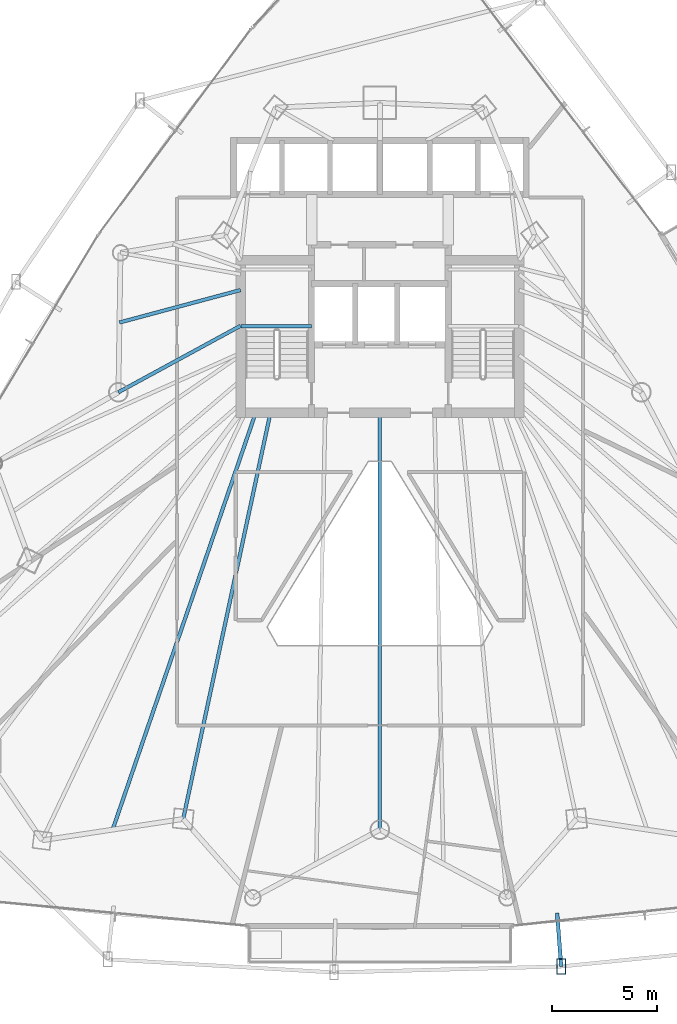
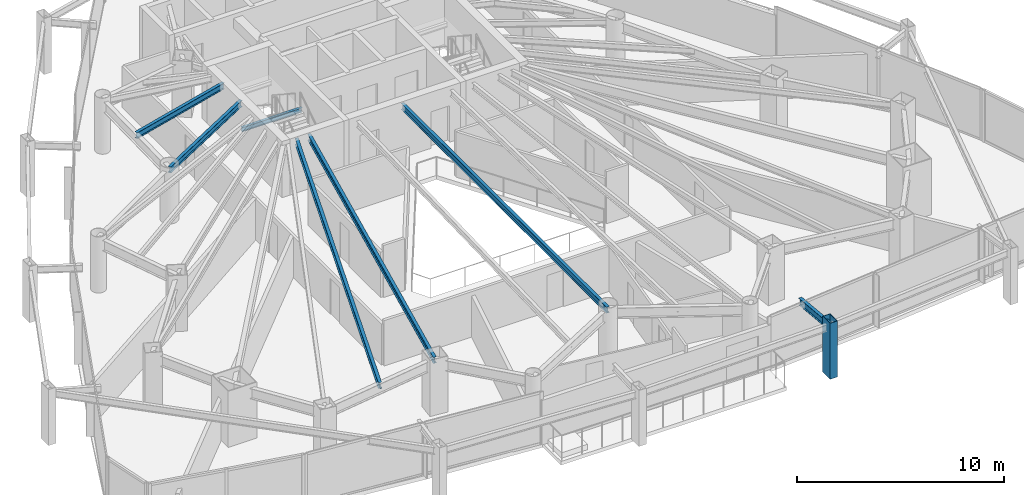
# One storey, part 12 of 33: 7 beams, 1 member.
"""IFC4 building model written with IfcOpenShell, lengths in metres."""

from ifc_helpers import new_model, si_unit, direction, frame, origin, origin_2d, place, context, subcontext, project, spatial, hollow_rectangle, i_section, extrude, material, material_profile, profile_set, type_object, element, save


model = new_model("IFC4")

# Units and contexts
model_context = context("Model", 3, precision=1e-05, world=origin(), true_north=direction((0.0, 1.0)))
body_context = subcontext(model_context, "Body", "Model", "MODEL_VIEW")
ifc_project = project(units=[si_unit("LENGTHUNIT", "METRE"), si_unit("AREAUNIT", "SQUARE_METRE"), si_unit("VOLUMEUNIT", "CUBIC_METRE"), si_unit("PLANEANGLEUNIT", "RADIAN"), si_unit("MASSUNIT", "GRAM", prefix="KILO")], contexts=[model_context])

# Site, building, storey
site_placement = place(None, origin())
site = spatial("IfcSite", under=ifc_project, at=site_placement, CompositionType="ELEMENT")
building_placement = place(site_placement, origin())
building = spatial("IfcBuilding", under=site, at=building_placement, Name="Orvanel Arch Residences", CompositionType="ELEMENT")
storey_placement = place(building_placement, frame((0.0, 0.0, 84.050048828125)))
storey = spatial("IfcBuildingStorey", under=building, at=storey_placement, Name="L23", CompositionType="ELEMENT", Elevation=84.050048828125)

# Beams
ifc_material_1 = material(Name="Structural steel AS/NZS 3679.1 Grade 300 (300 MPa)", Category="steel")
ifc_material_profile_1 = material_profile(ifc_material_1, i_section(OverallWidth=0.14599609375, OverallDepth=0.251953125, WebThickness=0.006103515625, FlangeThickness=0.008544921875, at=origin_2d()), Name="250UB31.4")
ifc_profile_set_1 = profile_set([ifc_material_profile_1], Name="Structural steel AS/NZS 3679.1 Grade 300 (300 MPa)")
beam_type_1 = type_object("IfcBeamType", Name="BJ-250UB", PredefinedType="JOIST", material=ifc_profile_set_1)
beam_1_placement = place(storey_placement, frame((26.39990234375, 30.780029296875, 1.323974609375), z_axis=(1.0, 0.0, 0.0), x_axis=(0.0, 1.0, 0.0)))
element("IfcBeam", 1, at=beam_1_placement, inside=storey, type_object=beam_type_1, Name="L23 ST-1 Half-Landing Support Beam 1.1", PredefinedType="JOIST", context=body_context, shape_type="SweptSolid", body=[
    extrude(i_section(OverallWidth=0.14599609375, OverallDepth=0.251953125, WebThickness=0.006103515625, FlangeThickness=0.008544921875, at=origin_2d()), origin(), (0.0, 0.0, 1.0), 3.35009765625),
])
ifc_material_profile_2 = material_profile(ifc_material_1, i_section(OverallWidth=0.1708984375, OverallDepth=0.35595703125, WebThickness=0.00732421875, FlangeThickness=0.011474609375, at=origin_2d()), Name="360UB50.7")
ifc_profile_set_2 = profile_set([ifc_material_profile_2], Name="Structural steel AS/NZS 3679.1 Grade 300 (300 MPa)")
beam_type_2 = type_object("IfcBeamType", Name="BJ-360UB", PredefinedType="JOIST", material=ifc_profile_set_2)
beam_2_placement = place(storey_placement, frame((26.375, 30.800048828125, 2.8818359375), z_axis=(-0.878399029914, -0.477927969726, 0.0), x_axis=(0.477927969726, -0.878399029914, 0.0)))
element("IfcBeam", 2, at=beam_2_placement, inside=storey, type_object=beam_type_2, Name="L23 NW Wing Floor Joist", PredefinedType="JOIST", context=body_context, shape_type="SweptSolid", body=[
    extrude(i_section(OverallWidth=0.1708984375, OverallDepth=0.35595703125, WebThickness=0.00732421875, FlangeThickness=0.011474609375, at=origin_2d()), origin(), (0.0, 0.0, 1.0), 6.609619140625),
])
beam_3_placement = place(storey_placement, frame((27.800048828125, 26.675048828125, 2.8818359375), z_axis=(-0.210066515515, -0.977687096703, 0.0), x_axis=(0.977687096703, -0.210066515515, 0.0)))
element("IfcBeam", 3, at=beam_3_placement, inside=storey, type_object=beam_type_2, Name="L23 SW Wing Floor Joist", PredefinedType="JOIST", context=body_context, shape_type="SweptSolid", body=[
    extrude(i_section(OverallWidth=0.1708984375, OverallDepth=0.35595703125, WebThickness=0.00732421875, FlangeThickness=0.011474609375, at=origin_2d()), origin(), (0.0, 0.0, 1.0), 19.760986328125),
])
beam_4_placement = place(storey_placement, frame((33.0, 26.675048828125, 2.8818359375), z_axis=(0.0, -1.0, 0.0), x_axis=(1.0, 0.0, 0.0)))
element("IfcBeam", 4, at=beam_4_placement, inside=storey, type_object=beam_type_2, Name="L23 SSW Wing Floor Joist", PredefinedType="JOIST", context=body_context, shape_type="SweptSolid", body=[
    extrude(i_section(OverallWidth=0.1708984375, OverallDepth=0.35595703125, WebThickness=0.00732421875, FlangeThickness=0.011474609375, at=origin_2d()), origin(), (0.0, 0.0, 1.0), 19.8310546875),
])
beam_5_placement = place(storey_placement, frame((26.375, 32.5, 2.8818359375), z_axis=(-0.965844838168, -0.259121107949, 0.0), x_axis=(0.259121107949, -0.965844838168, 0.0)))
element("IfcBeam", 5, at=beam_5_placement, inside=storey, type_object=beam_type_2, Name="L23 WNW Wing Floor Joist", PredefinedType="JOIST", context=body_context, shape_type="SweptSolid", body=[
    extrude(i_section(OverallWidth=0.1708984375, OverallDepth=0.35595703125, WebThickness=0.00732421875, FlangeThickness=0.011474609375, at=origin_2d()), origin(), (0.0, 0.0, 1.0), 5.95849609375),
])
beam_6_placement = place(storey_placement, frame((27.10009765625, 26.675048828125, 2.8818359375), z_axis=(-0.324621456495, -0.945844019901, 0.0), x_axis=(0.945844019901, -0.324621456495, 0.0)))
element("IfcBeam", 6, at=beam_6_placement, inside=storey, type_object=beam_type_2, Name="L23 JADD1 Wing Floor Joist", PredefinedType="JOIST", context=body_context, shape_type="SweptSolid", body=[
    extrude(i_section(OverallWidth=0.1708984375, OverallDepth=0.35595703125, WebThickness=0.00732421875, FlangeThickness=0.011474609375, at=origin_2d()), origin(), (0.0, 0.0, 1.0), 20.96337890625),
])

# Member
ifc_material_2 = material(Name="Structural steel AS/NZS 3678 Grade 350", Category="steel")
ifc_material_profile_3 = material_profile(ifc_material_2, hollow_rectangle(XDim=0.419921875, YDim=0.719970703125, WallThickness=0.02490234375, at=origin_2d()), Name="RHS720x420x25")
ifc_profile_set_3 = profile_set([ifc_material_profile_3], Name="Structural steel AS/NZS 3678 Grade 350")
member_type = type_object("IfcMemberType", Name="CH-720RHS-EXT", PredefinedType="CHORD", material=ifc_profile_set_3)
member_placement = place(storey_placement, frame((41.6201171875, 0.343017578125, 0.0), z_axis=(0.0, 0.0, 1.0), x_axis=(1.0, 0.0, 0.0)))
element("IfcMember", 7, at=member_placement, inside=storey, type_object=member_type, Name="L23 Outer Perimeter Frame Post 07", PredefinedType="CHORD", context=body_context, shape_type="SweptSolid", body=[
    extrude(hollow_rectangle(XDim=0.419921875, YDim=0.719970703125, WallThickness=0.02490234375, at=origin_2d()), origin(), (0.0, 0.0, 1.0), 3.300048828125),
])

# Beam
ifc_material_profile_4 = material_profile(ifc_material_1, i_section(OverallWidth=0.177978515625, OverallDepth=0.406005859375, WebThickness=0.0078125, FlangeThickness=0.0126953125, at=origin_2d()), Name="410UB59.7")
ifc_profile_set_4 = profile_set([ifc_material_profile_4], Name="Structural steel AS/NZS 3679.1 Grade 300 (300 MPa)")
beam_type_3 = type_object("IfcBeamType", Name="OB-410UB-EXT", PredefinedType="SPANDREL", material=ifc_profile_set_4)
beam_7_placement = place(storey_placement, frame((41.426025390625, 2.885986328125, 2.85693359375), z_axis=(0.076103536569, -0.997099920631, 0.0), x_axis=(0.997099920631, 0.076103536569, 0.0)))
element("IfcBeam", 8, at=beam_7_placement, inside=storey, type_object=beam_type_3, Name="L23 Outer Frame Radial Tie Beam 07", PredefinedType="SPANDREL", context=body_context, shape_type="SweptSolid", body=[
    extrude(i_section(OverallWidth=0.177978515625, OverallDepth=0.406005859375, WebThickness=0.0078125, FlangeThickness=0.0126953125, at=origin_2d()), origin(), (0.0, 0.0, 1.0), 2.55029296875),
])

save(model, "model.ifc")
